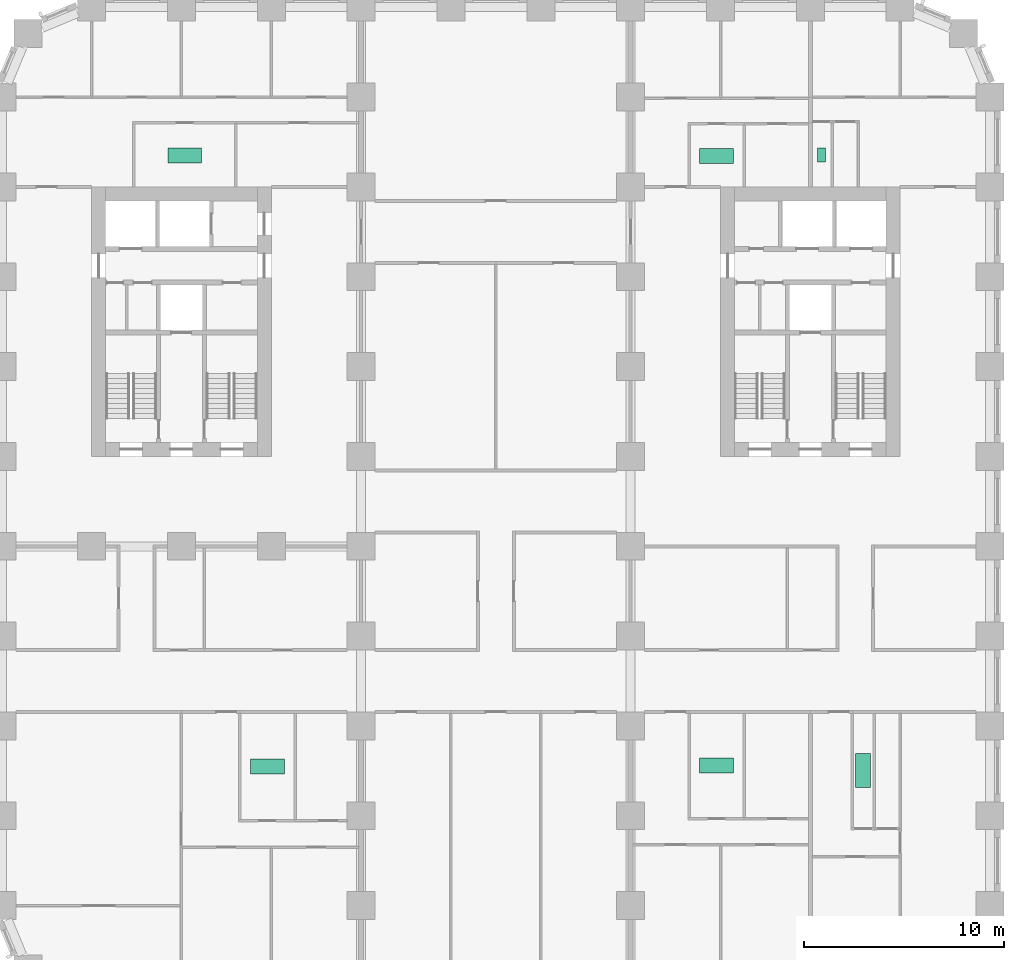
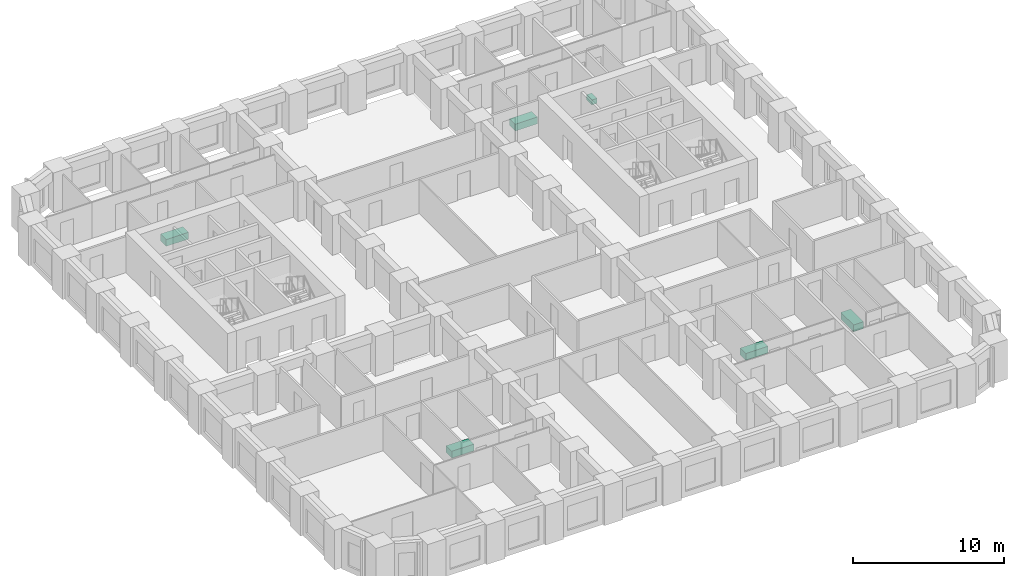
# One storey, part 12 of 12: 6 sanitary terminals.
"""IFC4 building model written with IfcOpenShell, lengths in metres."""

from ifc_helpers import new_model, si_unit, direction, frame, origin, origin_2d, place, context, subcontext, project, spatial, rectangle, extrude, material, type_object, element, save


model = new_model("IFC4")

# Units and contexts
model_context = context("Model", 3, precision=1e-05, world=origin(), true_north=direction((0.0, 1.0)))
body_context = subcontext(model_context, "Body", "Model", "MODEL_VIEW")
ifc_project = project(units=[si_unit("LENGTHUNIT", "METRE"), si_unit("AREAUNIT", "SQUARE_METRE"), si_unit("VOLUMEUNIT", "CUBIC_METRE"), si_unit("PLANEANGLEUNIT", "RADIAN"), si_unit("MASSUNIT", "GRAM", prefix="KILO")], contexts=[model_context])

# Site, building, storey
site_placement = place(None, origin())
site = spatial("IfcSite", under=ifc_project, at=site_placement, CompositionType="ELEMENT")
building_placement = place(site_placement, origin())
building = spatial("IfcBuilding", under=site, at=building_placement, Name="Girih Gate Residences", CompositionType="ELEMENT")
storey_placement = place(building_placement, frame((0.0, 0.0, 33.60009765625)))
storey = spatial("IfcBuildingStorey", under=building, at=storey_placement, Name="L07", CompositionType="ELEMENT", Elevation=33.60009765625)

# Sanitary terminals
ifc_material_1 = material(Name="Acrylic")
sanitary_terminal_type_1 = type_object("IfcSanitaryTerminalType", Name="Bath 1700", PredefinedType="BATH", material=ifc_material_1)
for number, where, z_axis, x_axis, name in (
    (1, (13.30810546875, 11.47412109375, 0.0), (0.0, 0.0, 1.0), (1.0, 0.0, 0.0), "Bath 1700 L07"),
    (2, (9.1640625, 42.0791015625, 0.0), (0.0, 0.0, 1.0), (1.0, 0.0, 0.0), "Bath 1700 L07"),
):
    element("IfcSanitaryTerminal", number, at=place(storey_placement, frame(where, z_axis=z_axis, x_axis=x_axis)), inside=storey, type_object=sanitary_terminal_type_1, Name=name, PredefinedType="BATH", context=body_context, shape_type="SweptSolid", body=[
        extrude(rectangle(XDim=1.699951171875, YDim=0.75, at=origin_2d()), origin(), (0.0, 0.0, 1.0), 0.550048828125),
    ])
sanitary_terminal_1_placement = place(storey_placement, frame((43.14501953125, 11.27392578125, 0.0), z_axis=(0.0, 0.0, 1.0), x_axis=(1.0, 0.0, 0.0)))
element("IfcSanitaryTerminal", 3, at=sanitary_terminal_1_placement, inside=storey, type_object=sanitary_terminal_type_1, Name="Bath 1700 L07", PredefinedType="BATH", context=body_context, shape_type="SweptSolid", body=[
    extrude(rectangle(XDim=0.75, YDim=1.699951171875, at=origin_2d()), origin(), (0.0, 0.0, 1.0), 0.550048828125),
])
for number, where, z_axis, x_axis, name in (
    (4, (35.801025390625, 11.513916015625, 0.0), (0.0, 0.0, 1.0), (1.0, 0.0, 0.0), "Bath 1700 L07"),
    (5, (35.80810546875, 42.049072265625, 0.0), (0.0, 0.0, 1.0), (1.0, 0.0, 0.0), "Bath 1700 L07"),
):
    element("IfcSanitaryTerminal", number, at=place(storey_placement, frame(where, z_axis=z_axis, x_axis=x_axis)), inside=storey, type_object=sanitary_terminal_type_1, Name=name, PredefinedType="BATH", context=body_context, shape_type="SweptSolid", body=[
        extrude(rectangle(XDim=1.699951171875, YDim=0.75, at=origin_2d()), origin(), (0.0, 0.0, 1.0), 0.550048828125),
    ])
ifc_material_2 = material(Name="Vitreous china")
sanitary_terminal_type_2 = type_object("IfcSanitaryTerminalType", Name="WC pan", PredefinedType="TOILETPAN", material=ifc_material_2)
sanitary_terminal_2_placement = place(storey_placement, frame((41.06396484375, 42.09912109375, 0.0), z_axis=(0.0, 0.0, 1.0), x_axis=(1.0, 0.0, 0.0)))
element("IfcSanitaryTerminal", 6, at=sanitary_terminal_2_placement, inside=storey, type_object=sanitary_terminal_type_2, Name="WC pan L07", PredefinedType="TOILETPAN", context=body_context, shape_type="SweptSolid", body=[
    extrude(rectangle(XDim=0.39990234375, YDim=0.699951171875, at=origin_2d()), origin(), (0.0, 0.0, 1.0), 0.39990234375),
])

save(model, "model.ifc")
